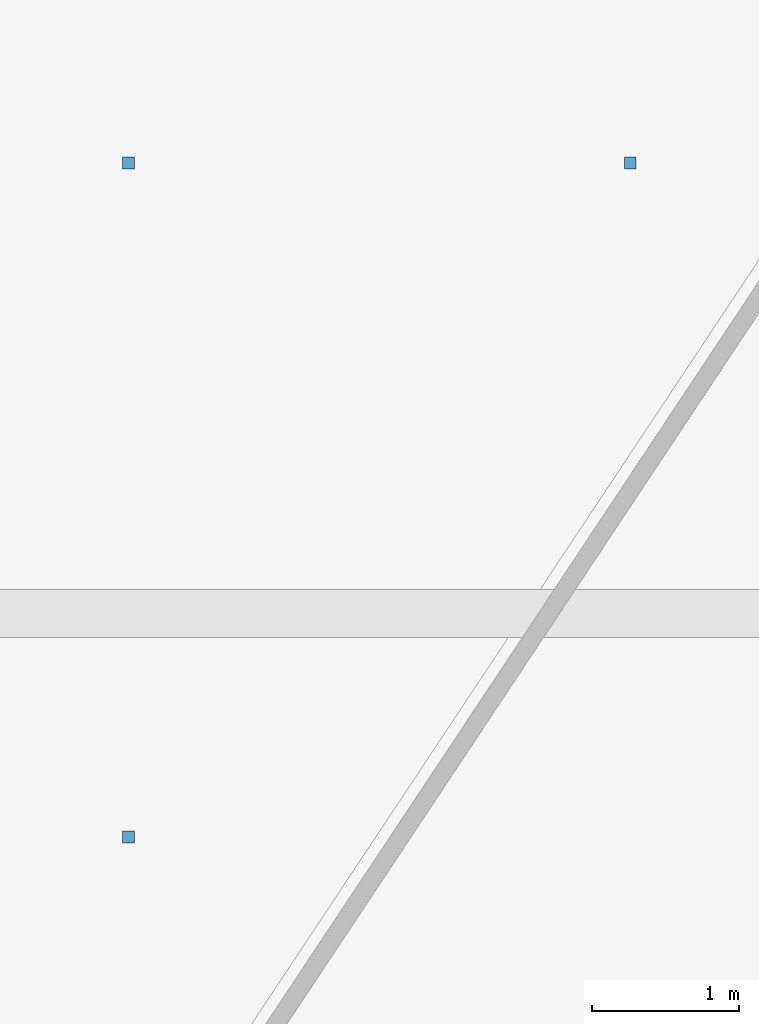
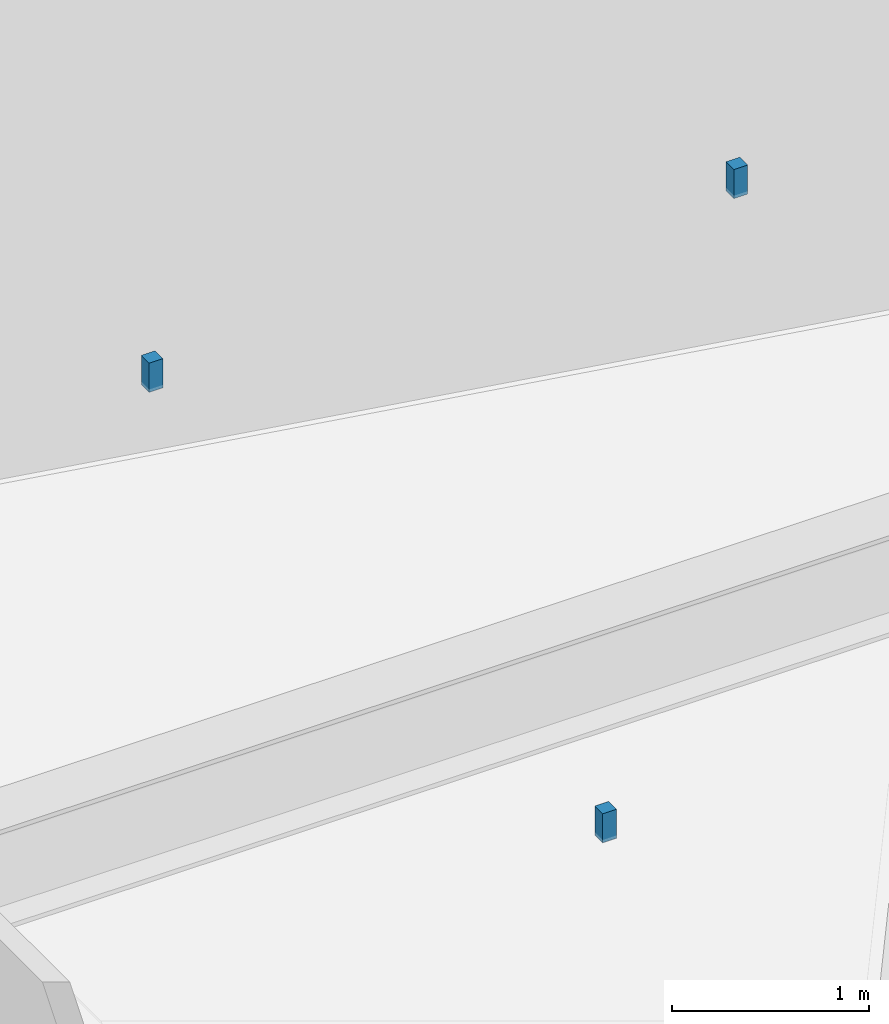
# One storey, part 13 of 18: 3 discrete accessories.
"""IFC4 building model written with IfcOpenShell, lengths in metres."""

from ifc_helpers import new_model, si_unit, direction, frame, origin, origin_2d, place, context, subcontext, project, spatial, rectangle, extrude, material, type_object, element, save


model = new_model("IFC4")

# Units and contexts
model_context = context("Model", 3, precision=1e-05, world=origin(), true_north=direction((0.0, 1.0)))
body_context = subcontext(model_context, "Body", "Model", "MODEL_VIEW")
ifc_project = project(units=[si_unit("LENGTHUNIT", "METRE"), si_unit("AREAUNIT", "SQUARE_METRE"), si_unit("VOLUMEUNIT", "CUBIC_METRE"), si_unit("PLANEANGLEUNIT", "RADIAN"), si_unit("MASSUNIT", "GRAM", prefix="KILO")], contexts=[model_context])

# Site, building, storey
site_placement = place(None, origin())
site = spatial("IfcSite", under=ifc_project, at=site_placement, CompositionType="ELEMENT")
building_placement = place(site_placement, origin())
building = spatial("IfcBuilding", under=site, at=building_placement, Name="Kolvaren Gate Tower and Convention Centre", CompositionType="ELEMENT")
storey_placement = place(building_placement, frame((0.0, 0.0, 61.14990234375)))
storey = spatial("IfcBuildingStorey", under=building, at=storey_placement, Name="L14", CompositionType="ELEMENT", Elevation=61.14990234375)

# Discrete accessories
ifc_material = material(Name="Brushed Stainless Steel Grade 316L", Category="steel")
discrete_accessory_type = type_object("IfcDiscreteAccessoryType", Name="ARCH-ACC-HANGER-80", PredefinedType="BRACKET", material=ifc_material)
for number, where, z_axis, x_axis, name in (
    (1, (48.85107421875, 25.47509765625, 3.39013671875), (0.0, 0.0, 1.0), (1.0, 0.0, 0.0), "Materials Exhibition Boutique Ceiling Suspension Hanger Clip 1"),
    (2, (48.85107421875, 30.070068359375, 3.39013671875), (0.0, 0.0, 1.0), (1.0, 0.0, 0.0), "Materials Exhibition Boutique Ceiling Suspension Hanger Clip 2"),
    (3, (52.27197265625, 30.070068359375, 3.39013671875), (0.0, 0.0, 1.0), (1.0, 0.0, 0.0), "Materials Exhibition Boutique Ceiling Suspension Hanger Clip 3"),
):
    element("IfcDiscreteAccessory", number, at=place(storey_placement, frame(where, z_axis=z_axis, x_axis=x_axis)), inside=storey, type_object=discrete_accessory_type, Name=name, PredefinedType="BRACKET", context=body_context, shape_type="SweptSolid", body=[
        extrude(rectangle(XDim=0.080078125, YDim=0.080078125, at=origin_2d()), origin(), (0.0, 0.0, 1.0), 0.179931640625),
    ])

save(model, "model.ifc")
